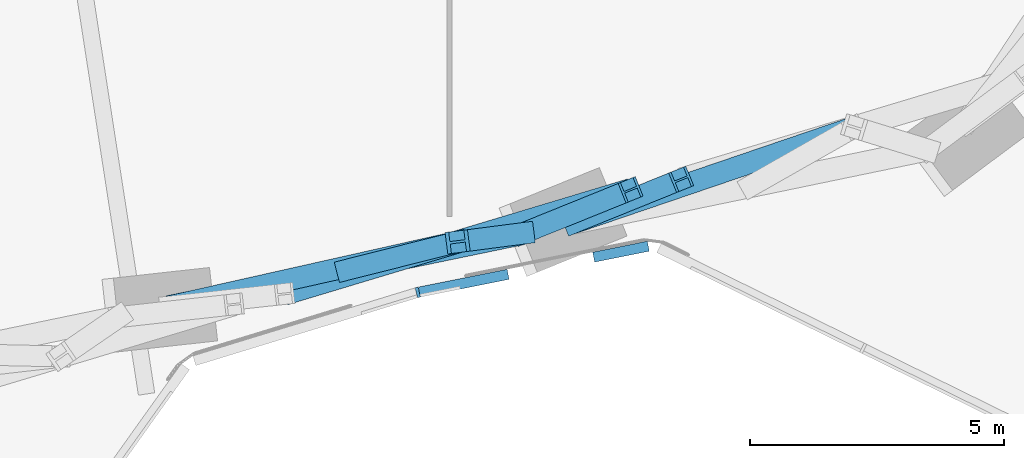
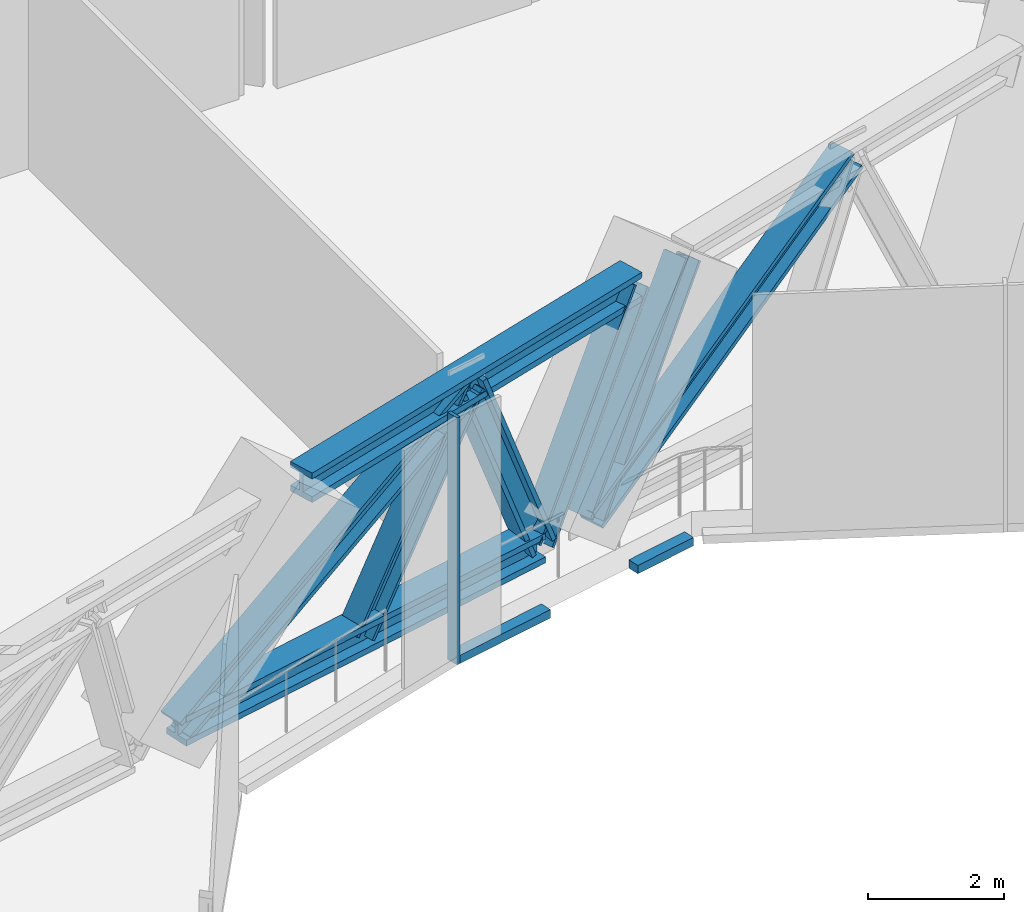
# One storey, part 5 of 34: 11 members, 2 elements without a shape of their own.
"""IFC4 building model written with IfcOpenShell, lengths in metres."""

from ifc_helpers import new_model, si_unit, direction, frame, origin, origin_2d, place, context, subcontext, project, spatial, rectangle, i_section, extrude, material, material_profile, profile_set, type_object, element, aggregate, save


model = new_model("IFC4")

# Units and contexts
model_context = context("Model", 3, precision=1e-05, world=origin(), true_north=direction((0.0, 1.0)))
body_context = subcontext(model_context, "Body", "Model", "MODEL_VIEW")
ifc_project = project(units=[si_unit("LENGTHUNIT", "METRE"), si_unit("AREAUNIT", "SQUARE_METRE"), si_unit("VOLUMEUNIT", "CUBIC_METRE"), si_unit("PLANEANGLEUNIT", "RADIAN"), si_unit("MASSUNIT", "GRAM", prefix="KILO")], contexts=[model_context])

# Site, building, storey
site_placement = place(None, origin())
site = spatial("IfcSite", under=ifc_project, at=site_placement, CompositionType="ELEMENT")
building_placement = place(site_placement, origin())
building = spatial("IfcBuilding", under=site, at=building_placement, Name="Orlundy Tower", CompositionType="ELEMENT")
storey_placement = place(building_placement, frame((0.0, 0.0, 76.300048828125)))
storey = spatial("IfcBuildingStorey", under=building, at=storey_placement, Name="L18", CompositionType="ELEMENT", Elevation=76.300048828125)

# Members
ifc_material_1 = material(Name="Steel ASTM A992 Gr 50", Category="steel")
ifc_material_profile_1 = material_profile(ifc_material_1, i_section(OverallWidth=0.4423828125, OverallDepth=0.531494140625, WebThickness=0.06591796875, FlangeThickness=0.105712890625, at=origin_2d()), Name="W14X605")
ifc_profile_set_1 = profile_set([ifc_material_profile_1], Name="Steel ASTM A992 Gr 50")
member_type_1 = type_object("IfcMemberType", Name="BELT TRUSS chord W14X605", PredefinedType="CHORD", material=ifc_profile_set_1)
for number, where, z_axis, x_axis, name in (
    (1, (2.482666015625, -29.500244140625, 0.28466796875), (0.979243011551, 0.20268972428, 0.0), (-0.20268972428, 0.979243011551, 0.0), "Belt truss bottom chord BT-07"),
    (2, (4.757080078125, -29.249267578125, 3.715087890625), (0.957594159797, 0.288120504515, 0.0), (-0.288120504515, 0.957594159797, 0.0), "Belt truss top chord BT-07"),
):
    element("IfcMember", number, at=place(storey_placement, frame(where, z_axis=z_axis, x_axis=x_axis)), inside=storey, type_object=member_type_1, Name=name, PredefinedType="CHORD", context=body_context, shape_type="SweptSolid", body=[
        extrude(i_section(OverallWidth=0.4423828125, OverallDepth=0.531494140625, WebThickness=0.06591796875, FlangeThickness=0.105712890625, at=origin_2d()), origin(), (0.0, 0.0, 1.0), 7.101806640625),
    ])
ifc_material_2 = material(Name="Steel ASTM A992 Gr 50", Category="steel")
ifc_material_profile_2 = material_profile(ifc_material_2, i_section(OverallWidth=0.42431640625, OverallDepth=0.47412109375, WebThickness=0.0478515625, FlangeThickness=0.0771484375, at=origin_2d()), Name="W14X426")
ifc_profile_set_2 = profile_set([ifc_material_profile_2], Name="Steel ASTM A992 Gr 50")
member_type_2 = type_object("IfcMemberType", Name="BELT TRUSS diagonal W14X426", PredefinedType="BRACE", material=ifc_profile_set_2)
member_1_placement = place(storey_placement, frame((2.482666015625, -29.500244140625, 0.28466796875), z_axis=(0.840414906129, 0.188699251208, 0.508030883067), x_axis=(-0.219076673804, 0.975707646273, 0.0)))
element("IfcMember", 3, at=member_1_placement, inside=storey, type_object=member_type_2, Name="Belt truss diagonal BT-07-0", PredefinedType="BRACE", context=body_context, shape_type="SweptSolid", body=[
    extrude(i_section(OverallWidth=0.42431640625, OverallDepth=0.47412109375, WebThickness=0.0478515625, FlangeThickness=0.0771484375, at=origin_2d()), origin(), (0.0, 0.0, 1.0), 6.75244140625),
])
member_2_placement = place(storey_placement, frame((8.157470703125, -28.22607421875, 3.715087890625), z_axis=(0.349123130234, 0.045097569008, -0.935991051883), x_axis=(-0.128109434397, 0.991760037922, 0.0)))
element("IfcMember", 4, at=member_2_placement, inside=storey, type_object=member_type_2, Name="Belt truss diagonal BT-07-1", PredefinedType="BRACE", context=body_context, shape_type="SweptSolid", body=[
    extrude(i_section(OverallWidth=0.42431640625, OverallDepth=0.47412109375, WebThickness=0.0478515625, FlangeThickness=0.0771484375, at=origin_2d()), origin(), (0.0, 0.0, 1.0), 3.6650390625),
])
member_3_placement = place(storey_placement, frame((10.430908203125, -27.85498046875, 0.28466796875), z_axis=(0.81588706172, 0.278012109082, 0.506988727411), x_axis=(-0.322537552337, 0.946556668844, 0.0)))
element("IfcMember", 5, at=member_3_placement, inside=storey, type_object=member_type_2, Name="Belt truss diagonal BT-08-0", PredefinedType="BRACE", context=body_context, shape_type="SweptSolid", body=[
    extrude(i_section(OverallWidth=0.42431640625, OverallDepth=0.47412109375, WebThickness=0.0478515625, FlangeThickness=0.0771484375, at=origin_2d()), origin(), (0.0, 0.0, 1.0), 6.766357421875),
])
ifc_material_3 = material(Name="Steel ASTM A992 Gr 50", Category="steel")
ifc_material_profile_3 = material_profile(ifc_material_3, i_section(OverallWidth=0.412109375, OverallDepth=0.434814453125, WebThickness=0.035888671875, FlangeThickness=0.057373046875, at=origin_2d()), Name="W14X311")
ifc_profile_set_3 = profile_set([ifc_material_profile_3], Name="Steel ASTM A992 Gr 50")
member_type_3 = type_object("IfcMemberType", Name="BELT TRUSS post W14X311", PredefinedType="POST", material=ifc_profile_set_3)
member_4_placement = place(storey_placement, frame((5.9599609375, -28.780517578125, 0.28466796875), z_axis=(0.534481923241, 0.134852621673, 0.834352350123), x_axis=(-0.244638820638, 0.969614277657, 0.0)))
element("IfcMember", 6, at=member_4_placement, inside=storey, type_object=member_type_3, Name="Belt truss post BT-07-1", PredefinedType="POST", context=body_context, shape_type="SweptSolid", body=[
    extrude(i_section(OverallWidth=0.412109375, OverallDepth=0.434814453125, WebThickness=0.035888671875, FlangeThickness=0.057373046875, at=origin_2d()), origin(), (0.0, 0.0, 1.0), 4.111572265625),
])
member_5_placement = place(storey_placement, frame((9.43701171875, -28.060791015625, 0.28466796875), z_axis=(0.514317238917, 0.208012486797, 0.831990734978), x_axis=(-0.374939463472, 0.927049296818, 0.0)))
element("IfcMember", 7, at=member_5_placement, inside=storey, type_object=member_type_3, Name="Belt truss post BT-07-2", PredefinedType="POST", context=body_context, shape_type="SweptSolid", body=[
    extrude(i_section(OverallWidth=0.412109375, OverallDepth=0.434814453125, WebThickness=0.035888671875, FlangeThickness=0.057373046875, at=origin_2d()), origin(), (0.0, 0.0, 1.0), 4.123046875),
])
member_6_placement = place(storey_placement, frame((10.430908203125, -27.85498046875, 0.28466796875), z_axis=(0.514360786191, 0.208006151938, 0.831965397348), x_axis=(-0.374902369142, 0.927064298531, 0.0)))
element("IfcMember", 8, at=member_6_placement, inside=storey, type_object=member_type_3, Name="Belt truss post BT-08-0", PredefinedType="POST", context=body_context, shape_type="SweptSolid", body=[
    extrude(i_section(OverallWidth=0.412109375, OverallDepth=0.434814453125, WebThickness=0.035888671875, FlangeThickness=0.057373046875, at=origin_2d()), origin(), (0.0, 0.0, 1.0), 4.123291015625),
])

# Curtain wall, member
ifc_material_4 = material(Name="Aluminium bronze anodised", Category="aluminium")
curtain_wall_type = type_object("IfcCurtainWallType", Name="CW4 wall", PredefinedType="NOTDEFINED", material=ifc_material_4)
curtain_wall_1_placement = place(storey_placement, origin())
curtain_wall_1 = element("IfcCurtainWall", 9, at=curtain_wall_1_placement, inside=storey, type_object=curtain_wall_type, Name="CW4 run 029", PredefinedType="NOTDEFINED")
ifc_material_5 = material(Name="Aluminium bronze anodised", Category="aluminium")
ifc_material_profile_4 = material_profile(ifc_material_5, rectangle(XDim=0.199951171875, YDim=0.06005859375, at=origin_2d()), Name="CW4 mullion 60x200")
ifc_profile_set_4 = profile_set([ifc_material_profile_4], Name="Aluminium bronze anodised")
member_type_4 = type_object("IfcMemberType", Name="CW4 mullion 60x200", PredefinedType="MULLION", material=ifc_profile_set_4)
member_7_placement = place(storey_placement, frame((7.37451171875, -29.219970703125, -0.449951171875), z_axis=(0.0, 0.0, 1.0), x_axis=(0.244727669614, -0.96959185626, 0.0)))
member_7 = element("IfcMember", 10, at=member_7_placement, type_object=member_type_4, Name="CW4 mullion 49", PredefinedType="MULLION", context=body_context, shape_type="SweptSolid", body=[
    extrude(rectangle(XDim=0.199951171875, YDim=0.06005859375, at=origin_2d()), origin(), (0.0, 0.0, 1.0), 4.449951171875),
])
aggregate(curtain_wall_1, [member_7])

# Curtain wall, members
curtain_wall_2_placement = place(storey_placement, origin())
curtain_wall_2 = element("IfcCurtainWall", 11, at=curtain_wall_2_placement, inside=storey, type_object=curtain_wall_type, Name="CW4 run 028", PredefinedType="NOTDEFINED")
ifc_material_6 = material(Name="Aluminium bronze anodised", Category="aluminium")
ifc_material_profile_5 = material_profile(ifc_material_6, rectangle(XDim=0.199951171875, YDim=0.14990234375, at=origin_2d()), Name="CW4 transom 200x150")
ifc_profile_set_5 = profile_set([ifc_material_profile_5], Name="Aluminium bronze anodised")
member_type_5 = type_object("IfcMemberType", Name="CW4 transom 200x150", PredefinedType="USERDEFINED", material=ifc_profile_set_5)
member_8_placement = place(storey_placement, frame((11.9052734375, -28.312255859375, -0.375), z_axis=(-0.980477646655, -0.196630578524, 0.0), x_axis=(0.196630578524, -0.980477646655, 0.0)))
member_8 = element("IfcMember", 12, at=member_8_placement, type_object=member_type_5, Name="CW4 transom", ObjectType="TRANSOM", PredefinedType="USERDEFINED", context=body_context, shape_type="SweptSolid", body=[
    extrude(rectangle(XDim=0.199951171875, YDim=0.14990234375, at=origin_2d()), origin(), (0.0, 0.0, 1.0), 1.09521484375),
])
member_9_placement = place(storey_placement, frame((9.14892578125, -28.864501953125, -0.375), z_axis=(-0.980512019653, -0.19645910342, 0.0), x_axis=(0.19645910342, -0.980512019653, 0.0)))
member_9 = element("IfcMember", 13, at=member_9_placement, type_object=member_type_5, Name="CW4 transom", ObjectType="TRANSOM", PredefinedType="USERDEFINED", context=body_context, shape_type="SweptSolid", body=[
    extrude(rectangle(XDim=0.199951171875, YDim=0.14990234375, at=origin_2d()), origin(), (0.0, 0.0, 1.0), 1.779541015625),
])
aggregate(curtain_wall_2, [member_8, member_9])

save(model, "model.ifc")
